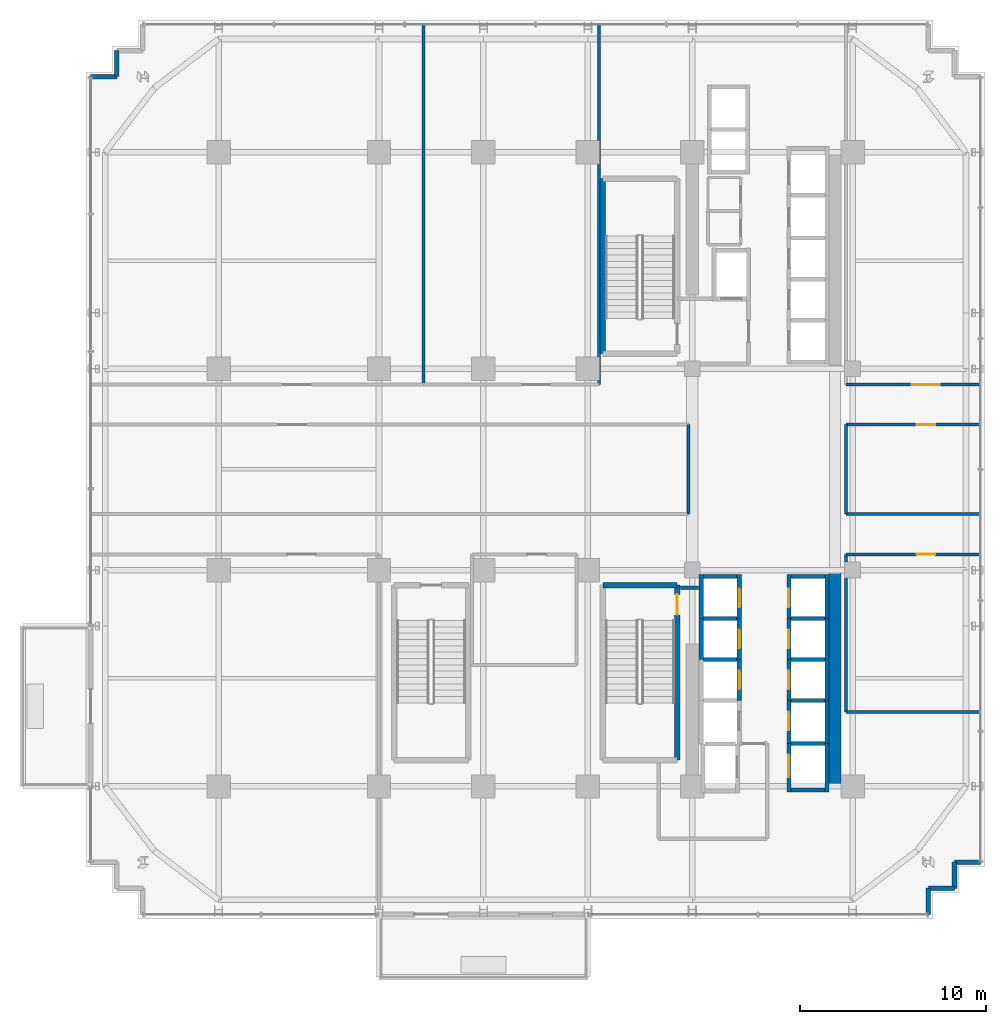
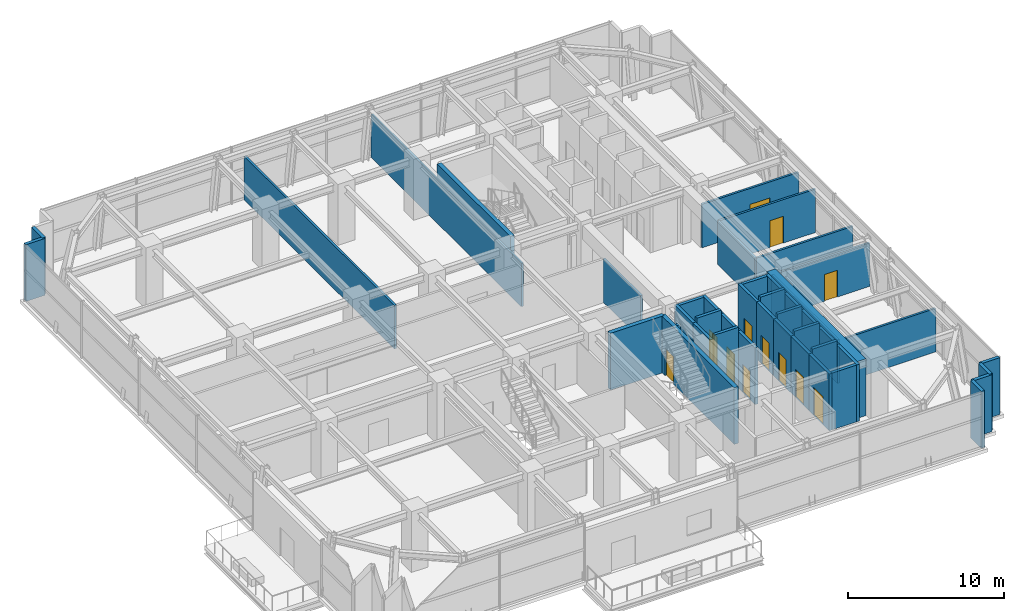
# One storey, part 21 of 26: 45 walls, 12 doors, 12 openings.
"""IFC4 building model written with IfcOpenShell, lengths in metres."""

from ifc_helpers import new_model, si_unit, direction, frame, frame_2d, origin, place, context, subcontext, project, spatial, rectangle, extrude, source, transform, mapped, material, layer, layer_set, type_object, element, fill, save


model = new_model("IFC4")

# Units and contexts
model_context = context("Model", 3, precision=1e-05, world=origin(), true_north=direction((0.0, 1.0)))
body_context = subcontext(model_context, "Body", "Model", "MODEL_VIEW")
ifc_project = project(units=[si_unit("LENGTHUNIT", "METRE"), si_unit("AREAUNIT", "SQUARE_METRE"), si_unit("VOLUMEUNIT", "CUBIC_METRE"), si_unit("PLANEANGLEUNIT", "RADIAN"), si_unit("MASSUNIT", "GRAM", prefix="KILO")], contexts=[model_context])

# Site, building, storey
site_placement = place(None, origin())
site = spatial("IfcSite", under=ifc_project, at=site_placement, CompositionType="ELEMENT")
building_placement = place(site_placement, origin())
building = spatial("IfcBuilding", under=site, at=building_placement, Name="Nahalor Promenade Grand Hotel", CompositionType="ELEMENT")
storey_placement = place(building_placement, frame((0.0, 0.0, 139.39990234375)))
storey = spatial("IfcBuildingStorey", under=building, at=storey_placement, Name="L35", CompositionType="ELEMENT", Elevation=139.39990234375)

# Walls
ifc_material_1 = material(Name="Concrete B-60 (C50/60)", Category="concrete")
ifc_layer_1 = layer(ifc_material_1, 0.64990234375)
ifc_layer_set_1 = layer_set([ifc_layer_1], Name="Concrete B-60 (C50/60)")
wall_type_1 = type_object("IfcWallType", Name="Wall-CoreShear-650", PredefinedType="SHEAR", material=ifc_layer_set_1)
shared_shape_1 = source(origin(), body_context, "Body", "SweptSolid", [
    extrude(rectangle(XDim=11.60009765625, YDim=0.64990234375, at=frame_2d((5.800048828125, 0.0))), origin(), (0.0, 0.0, 1.0), 4.440185546875),
])
wall_1_placement = place(storey_placement, frame((16.050048828125, -17.0, 0.0), z_axis=(0.0, 0.0, 1.0), x_axis=(0.0, 1.0, 0.0)))
element("IfcWall", 1, at=wall_1_placement, inside=storey, type_object=wall_type_1, Name="CWALL-L35-SE", PredefinedType="SHEAR", context=body_context, shape_type="MappedRepresentation", body=[
    mapped(shared_shape_1, transform((0.0, 0.0, 0.0), scale=1.0)),
])
ifc_material_2 = material(Name="Concrete B-50 (C40/50)", Category="concrete")
ifc_layer_2 = layer(ifc_material_2, 0.300048828125)
ifc_layer_set_2 = layer_set([ifc_layer_2], Name="Concrete B-50 (C40/50)")
wall_type_2 = type_object("IfcWallType", Name="Wall-ShaftShear-300", PredefinedType="SHEAR", material=ifc_layer_set_2)
shared_shape_2 = source(origin(), body_context, "Body", "SweptSolid", [
    extrude(rectangle(XDim=3.97998046875, YDim=0.300048828125, at=frame_2d((1.989990234375, 0.0))), origin(), (0.0, 0.0, 1.0), 4.440185546875),
])
wall_2_placement = place(storey_placement, frame((3.610107421875, -6.2099609375, 0.0), z_axis=(0.0, 0.0, 1.0), x_axis=(1.0, 0.0, 0.0)))
element("IfcWall", 2, at=wall_2_placement, inside=storey, type_object=wall_type_2, Name="L35 Exit Stair ST2 Shaft Wall N", PredefinedType="SHEAR", context=body_context, shape_type="MappedRepresentation", body=[
    mapped(shared_shape_2, transform((0.0, 0.0, 0.0), scale=1.0)),
])
shared_shape_3 = source(origin(), body_context, "Body", "SweptSolid", [
    extrude(rectangle(XDim=9.380126953125, YDim=0.300048828125, at=frame_2d((4.68994140625, 0.0))), origin(), (0.0, 0.0, 1.0), 4.440185546875),
])
wall_3_placement = place(storey_placement, frame((3.610107421875, 6.2099609375, 0.0), z_axis=(0.0, 0.0, 1.0), x_axis=(0.0, 1.0, 0.0)))
element("IfcWall", 3, at=wall_3_placement, inside=storey, type_object=wall_type_2, Name="L35 Exit Stair ST1 Shaft Wall W", PredefinedType="SHEAR", context=body_context, shape_type="MappedRepresentation", body=[
    mapped(shared_shape_3, transform((0.0, 0.0, 0.0), scale=1.0)),
])

# Wall, opening, door
wall_4_placement = place(storey_placement, frame((7.590087890625, -15.590087890625, 0.0), z_axis=(0.0, 0.0, 1.0), x_axis=(0.0, 1.0, 0.0)))
wall_4 = element("IfcWall", 4, at=wall_4_placement, inside=storey, type_object=wall_type_2, Name="L35 Exit Stair ST2 Shaft Wall E", PredefinedType="SHEAR", context=body_context, shape_type="MappedRepresentation", body=[
    mapped(shared_shape_3, transform((0.0, 0.0, 0.0), scale=1.0)),
])
opening_1_placement = place(wall_4_placement, frame((7.7900390625, 0.0, 0.0)))
opening_1 = element("IfcOpeningElement", 5, at=opening_1_placement, cuts=wall_4, Name="Opening D-ST1", PredefinedType="OPENING", context=body_context, shape_type="SweptSolid", body=[
    extrude(rectangle(XDim=1.10009765625, YDim=2.14990234375, at=frame_2d((0.550048828125, 1.074951171875))), frame((0.0, 0.159912109375, 0.0), z_axis=(0.0, -1.0, 0.0), x_axis=(1.0, 0.0, 0.0)), (0.0, 0.0, 1.0), 0.320068359375),
])
ifc_material_3 = material(Name="Steel S355JR", Category="steel")
door_type_1 = type_object("IfcDoorType", Name="Door-StairFire-1100", OperationType="NOTDEFINED", PredefinedType="DOOR", material=ifc_material_3)
shared_shape_4 = source(origin(), body_context, "Body", "SweptSolid", [
    extrude(rectangle(XDim=1.10009765625, YDim=2.14990234375, at=frame_2d((0.550048828125, 1.074951171875))), frame((0.0, 0.02490234375, 0.0), z_axis=(0.0, -1.0, 0.0), x_axis=(1.0, 0.0, 0.0)), (0.0, 0.0, 1.0), 0.050048828125),
])
door_1_placement = place(opening_1_placement, origin())
door_1 = element("IfcDoor", 6, at=door_1_placement, inside=storey, type_object=door_type_1, Name="DR-STAIR-ST2-L35", OperationType="SINGLE_SWING_RIGHT", OverallHeight=2.14990234375, OverallWidth=1.10009765625, PredefinedType="DOOR", context=body_context, shape_type="MappedRepresentation", body=[
    mapped(shared_shape_4, transform((0.0, 0.0, 0.0), scale=1.0)),
])
fill(opening_1, door_1)

# Walls
ifc_layer_3 = layer(ifc_material_2, 0.219970703125)
ifc_layer_set_3 = layer_set([ifc_layer_3], Name="Concrete B-50 (C40/50)")
wall_type_3 = type_object("IfcWallType", Name="Wall-LiftShaft-220", PredefinedType="SHEAR", material=ifc_layer_set_3)
shared_shape_5 = source(origin(), body_context, "Body", "SweptSolid", [
    extrude(rectangle(XDim=1.820068359375, YDim=0.219970703125, at=frame_2d((0.91015625, 0.0))), origin(), (0.0, 0.0, 1.0), 4.800048828125),
])
for number, where, z_axis, x_axis, name in (
    (7, (13.68994140625, -8.0, 0.0), (0.0, 0.0, 1.0), (1.0, 0.0, 0.0), "L35 Lift PL6 Hoistway Wall N"),
    (8, (13.68994140625, -10.199951171875, 0.0), (0.0, 0.0, 1.0), (1.0, 0.0, 0.0), "L35 Lift PL7 Hoistway Wall N"),
    (9, (13.68994140625, -12.39990234375, 0.0), (0.0, 0.0, 1.0), (1.0, 0.0, 0.0), "L35 Lift PL8 Hoistway Wall N"),
    (10, (8.989990234375, -8.0, 0.0), (0.0, 0.0, 1.0), (1.0, 0.0, 0.0), "L35 Lift PL10 Hoistway Wall N"),
    (11, (8.989990234375, -10.199951171875, 0.0), (0.0, 0.0, 1.0), (1.0, 0.0, 0.0), "L35 Lift PL11 Hoistway Wall N"),
    (12, (13.68994140625, -14.699951171875, 0.0), (0.0, 0.0, 1.0), (1.0, 0.0, 0.0), "L35 Lift SV2 Hoistway Wall N"),
):
    element("IfcWall", number, at=place(storey_placement, frame(where, z_axis=z_axis, x_axis=x_axis)), inside=storey, type_object=wall_type_3, Name=name, PredefinedType="SHEAR", context=body_context, shape_type="MappedRepresentation", body=[
        mapped(shared_shape_5, transform((0.0, 0.0, 0.0), scale=1.0)),
    ])

# Wall, opening, door
shared_shape_6 = source(origin(), body_context, "Body", "SweptSolid", [
    extrude(rectangle(XDim=2.360107421875, YDim=0.219970703125, at=frame_2d((1.18017578125, 0.0))), origin(), (0.0, 0.0, 1.0), 4.440185546875),
])
wall_5_placement = place(storey_placement, frame((13.580078125, -8.0, 0.0), z_axis=(0.0, 0.0, 1.0), x_axis=(0.0, 1.0, 0.0)))
wall_5 = element("IfcWall", 13, at=wall_5_placement, inside=storey, type_object=wall_type_3, Name="L35 Lift PL5 Hoistway Wall W", PredefinedType="SHEAR", context=body_context, shape_type="MappedRepresentation", body=[
    mapped(shared_shape_6, transform((0.0, 0.0, 0.0), scale=1.0)),
])
opening_2_placement = place(wall_5_placement, frame((0.60009765625, 0.0, 0.0)))
opening_2 = element("IfcOpeningElement", 14, at=opening_2_placement, cuts=wall_5, Name="Opening LD-01", PredefinedType="OPENING", context=body_context, shape_type="SweptSolid", body=[
    extrude(rectangle(XDim=1.0, YDim=2.199951171875, at=frame_2d((0.5, 1.10009765625))), frame((0.0, 0.119873046875, 0.0), z_axis=(0.0, -1.0, 0.0), x_axis=(1.0, 0.0, 0.0)), (0.0, 0.0, 1.0), 0.239990234375),
])
door_type_2 = type_object("IfcDoorType", Name="Door-LiftLanding-1000", OperationType="DOUBLE_DOOR_SLIDING", PredefinedType="DOOR", material=ifc_material_3)
shared_shape_7 = source(origin(), body_context, "Body", "SweptSolid", [
    extrude(rectangle(XDim=1.0, YDim=2.199951171875, at=frame_2d((0.5, 1.10009765625))), frame((0.0, 0.02490234375, 0.0), z_axis=(0.0, -1.0, 0.0), x_axis=(1.0, 0.0, 0.0)), (0.0, 0.0, 1.0), 0.050048828125),
])
door_2_placement = place(opening_2_placement, origin())
door_2 = element("IfcDoor", 15, at=door_2_placement, inside=storey, type_object=door_type_2, Name="DR-LIFT-PL5-L35", OperationType="DOUBLE_DOOR_SLIDING", OverallHeight=2.199951171875, OverallWidth=1.0, PredefinedType="DOOR", context=body_context, shape_type="MappedRepresentation", body=[
    mapped(shared_shape_7, transform((0.0, 0.0, 0.0), scale=1.0)),
])
fill(opening_2, door_2)

# Walls
for number, where, z_axis, x_axis, name in (
    (16, (15.6201171875, -8.0, 0.0), (0.0, 0.0, 1.0), (0.0, 1.0, 0.0), "L35 Lift PL5 Hoistway Wall E"),
    (17, (8.8798828125, -8.0, 0.0), (0.0, 0.0, 1.0), (0.0, 1.0, 0.0), "L35 Lift PL9 Hoistway Wall W"),
):
    element("IfcWall", number, at=place(storey_placement, frame(where, z_axis=z_axis, x_axis=x_axis)), inside=storey, type_object=wall_type_3, Name=name, PredefinedType="SHEAR", context=body_context, shape_type="MappedRepresentation", body=[
        mapped(shared_shape_6, transform((0.0, 0.0, 0.0), scale=1.0)),
    ])

# Wall, opening, door
wall_6_placement = place(storey_placement, frame((10.919921875, -8.0, 0.0), z_axis=(0.0, 0.0, 1.0), x_axis=(0.0, 1.0, 0.0)))
wall_6 = element("IfcWall", 18, at=wall_6_placement, inside=storey, type_object=wall_type_3, Name="L35 Lift PL9 Hoistway Wall E", PredefinedType="SHEAR", context=body_context, shape_type="MappedRepresentation", body=[
    mapped(shared_shape_6, transform((0.0, 0.0, 0.0), scale=1.0)),
])
opening_3_placement = place(wall_6_placement, frame((0.60009765625, 0.0, 0.0)))
opening_3 = element("IfcOpeningElement", 19, at=opening_3_placement, cuts=wall_6, Name="Opening LD-01", PredefinedType="OPENING", context=body_context, shape_type="SweptSolid", body=[
    extrude(rectangle(XDim=1.0, YDim=2.199951171875, at=frame_2d((0.5, 1.10009765625))), frame((0.0, 0.119873046875, 0.0), z_axis=(0.0, -1.0, 0.0), x_axis=(1.0, 0.0, 0.0)), (0.0, 0.0, 1.0), 0.239990234375),
])
door_3_placement = place(opening_3_placement, frame((1.0, 0.0, 0.0), z_axis=(0.0, 0.0, 1.0), x_axis=(-1.0, 0.0, 0.0)))
door_3 = element("IfcDoor", 20, at=door_3_placement, inside=storey, type_object=door_type_2, Name="DR-LIFT-PL9-L35", OperationType="DOUBLE_DOOR_SLIDING", OverallHeight=2.199951171875, OverallWidth=1.0, PredefinedType="DOOR", context=body_context, shape_type="MappedRepresentation", body=[
    mapped(shared_shape_7, transform((0.0, 0.0, 0.0), scale=1.0)),
])
fill(opening_3, door_3)

# Walls
shared_shape_8 = source(origin(), body_context, "Body", "SweptSolid", [
    extrude(rectangle(XDim=1.820068359375, YDim=0.219970703125, at=frame_2d((0.91015625, 0.0))), origin(), (0.0, 0.0, 1.0), 4.440185546875),
])
for number, where, z_axis, x_axis, name in (
    (21, (13.68994140625, -5.75, 0.0), (0.0, 0.0, 1.0), (1.0, 0.0, 0.0), "L35 Lift PL5 Hoistway Wall N"),
    (22, (8.989990234375, -5.75, 0.0), (0.0, 0.0, 1.0), (1.0, 0.0, 0.0), "L35 Lift PL9 Hoistway Wall N"),
    (23, (13.68994140625, -17.199951171875, 0.0), (0.0, 0.0, 1.0), (1.0, 0.0, 0.0), "L35 Lift SV2 Hoistway Wall S"),
):
    element("IfcWall", number, at=place(storey_placement, frame(where, z_axis=z_axis, x_axis=x_axis)), inside=storey, type_object=wall_type_3, Name=name, PredefinedType="SHEAR", context=body_context, shape_type="MappedRepresentation", body=[
        mapped(shared_shape_8, transform((0.0, 0.0, 0.0), scale=1.0)),
    ])

# Wall, opening, door
shared_shape_9 = source(origin(), body_context, "Body", "SweptSolid", [
    extrude(rectangle(XDim=2.199951171875, YDim=0.219970703125, at=frame_2d((1.10009765625, 0.0))), origin(), (0.0, 0.0, 1.0), 4.440185546875),
])
wall_7_placement = place(storey_placement, frame((13.580078125, -10.199951171875, 0.0), z_axis=(0.0, 0.0, 1.0), x_axis=(0.0, 1.0, 0.0)))
wall_7 = element("IfcWall", 24, at=wall_7_placement, inside=storey, type_object=wall_type_3, Name="L35 Lift PL6 Hoistway Wall W", PredefinedType="SHEAR", context=body_context, shape_type="MappedRepresentation", body=[
    mapped(shared_shape_9, transform((0.0, 0.0, 0.0), scale=1.0)),
])
opening_4_placement = place(wall_7_placement, frame((0.60009765625, 0.0, 0.0)))
opening_4 = element("IfcOpeningElement", 25, at=opening_4_placement, cuts=wall_7, Name="Opening LD-01", PredefinedType="OPENING", context=body_context, shape_type="SweptSolid", body=[
    extrude(rectangle(XDim=1.0, YDim=2.199951171875, at=frame_2d((0.5, 1.10009765625))), frame((0.0, 0.119873046875, 0.0), z_axis=(0.0, -1.0, 0.0), x_axis=(1.0, 0.0, 0.0)), (0.0, 0.0, 1.0), 0.239990234375),
])
door_4_placement = place(opening_4_placement, origin())
door_4 = element("IfcDoor", 26, at=door_4_placement, inside=storey, type_object=door_type_2, Name="DR-LIFT-PL6-L35", OperationType="DOUBLE_DOOR_SLIDING", OverallHeight=2.199951171875, OverallWidth=1.0, PredefinedType="DOOR", context=body_context, shape_type="MappedRepresentation", body=[
    mapped(shared_shape_7, transform((0.0, 0.0, 0.0), scale=1.0)),
])
fill(opening_4, door_4)

# Wall
wall_8_placement = place(storey_placement, frame((15.6201171875, -10.199951171875, 0.0), z_axis=(0.0, 0.0, 1.0), x_axis=(0.0, 1.0, 0.0)))
element("IfcWall", 27, at=wall_8_placement, inside=storey, type_object=wall_type_3, Name="L35 Lift PL6 Hoistway Wall E", PredefinedType="SHEAR", context=body_context, shape_type="MappedRepresentation", body=[
    mapped(shared_shape_9, transform((0.0, 0.0, 0.0), scale=1.0)),
])

# Wall, opening, door
wall_9_placement = place(storey_placement, frame((13.580078125, -12.39990234375, 0.0), z_axis=(0.0, 0.0, 1.0), x_axis=(0.0, 1.0, 0.0)))
wall_9 = element("IfcWall", 28, at=wall_9_placement, inside=storey, type_object=wall_type_3, Name="L35 Lift PL7 Hoistway Wall W", PredefinedType="SHEAR", context=body_context, shape_type="MappedRepresentation", body=[
    mapped(shared_shape_9, transform((0.0, 0.0, 0.0), scale=1.0)),
])
opening_5_placement = place(wall_9_placement, frame((0.60009765625, 0.0, 0.0)))
opening_5 = element("IfcOpeningElement", 29, at=opening_5_placement, cuts=wall_9, Name="Opening LD-01", PredefinedType="OPENING", context=body_context, shape_type="SweptSolid", body=[
    extrude(rectangle(XDim=1.0, YDim=2.199951171875, at=frame_2d((0.5, 1.10009765625))), frame((0.0, 0.119873046875, 0.0), z_axis=(0.0, -1.0, 0.0), x_axis=(1.0, 0.0, 0.0)), (0.0, 0.0, 1.0), 0.239990234375),
])
door_5_placement = place(opening_5_placement, origin())
door_5 = element("IfcDoor", 30, at=door_5_placement, inside=storey, type_object=door_type_2, Name="DR-LIFT-PL7-L35", OperationType="DOUBLE_DOOR_SLIDING", OverallHeight=2.199951171875, OverallWidth=1.0, PredefinedType="DOOR", context=body_context, shape_type="MappedRepresentation", body=[
    mapped(shared_shape_7, transform((0.0, 0.0, 0.0), scale=1.0)),
])
fill(opening_5, door_5)

# Walls
for number, where, z_axis, x_axis, name in (
    (31, (15.6201171875, -12.39990234375, 0.0), (0.0, 0.0, 1.0), (0.0, 1.0, 0.0), "L35 Lift PL7 Hoistway Wall E"),
    (32, (8.8798828125, -10.199951171875, 0.0), (0.0, 0.0, 1.0), (0.0, 1.0, 0.0), "L35 Lift PL10 Hoistway Wall W"),
):
    element("IfcWall", number, at=place(storey_placement, frame(where, z_axis=z_axis, x_axis=x_axis)), inside=storey, type_object=wall_type_3, Name=name, PredefinedType="SHEAR", context=body_context, shape_type="MappedRepresentation", body=[
        mapped(shared_shape_9, transform((0.0, 0.0, 0.0), scale=1.0)),
    ])

# Wall, opening, door
wall_10_placement = place(storey_placement, frame((10.919921875, -10.199951171875, 0.0), z_axis=(0.0, 0.0, 1.0), x_axis=(0.0, 1.0, 0.0)))
wall_10 = element("IfcWall", 33, at=wall_10_placement, inside=storey, type_object=wall_type_3, Name="L35 Lift PL10 Hoistway Wall E", PredefinedType="SHEAR", context=body_context, shape_type="MappedRepresentation", body=[
    mapped(shared_shape_9, transform((0.0, 0.0, 0.0), scale=1.0)),
])
opening_6_placement = place(wall_10_placement, frame((0.60009765625, 0.0, 0.0)))
opening_6 = element("IfcOpeningElement", 34, at=opening_6_placement, cuts=wall_10, Name="Opening LD-01", PredefinedType="OPENING", context=body_context, shape_type="SweptSolid", body=[
    extrude(rectangle(XDim=1.0, YDim=2.199951171875, at=frame_2d((0.5, 1.10009765625))), frame((0.0, 0.119873046875, 0.0), z_axis=(0.0, -1.0, 0.0), x_axis=(1.0, 0.0, 0.0)), (0.0, 0.0, 1.0), 0.239990234375),
])
door_6_placement = place(opening_6_placement, frame((1.0, 0.0, 0.0), z_axis=(0.0, 0.0, 1.0), x_axis=(-1.0, 0.0, 0.0)))
door_6 = element("IfcDoor", 35, at=door_6_placement, inside=storey, type_object=door_type_2, Name="DR-LIFT-PL10-L35", OperationType="DOUBLE_DOOR_SLIDING", OverallHeight=2.199951171875, OverallWidth=1.0, PredefinedType="DOOR", context=body_context, shape_type="MappedRepresentation", body=[
    mapped(shared_shape_7, transform((0.0, 0.0, 0.0), scale=1.0)),
])
fill(opening_6, door_6)

wall_11_placement = place(storey_placement, frame((10.919921875, -12.39990234375, 0.0), z_axis=(0.0, 0.0, 1.0), x_axis=(0.0, 1.0, 0.0)))
wall_11 = element("IfcWall", 36, at=wall_11_placement, inside=storey, type_object=wall_type_3, Name="L35 Lift PL11 Hoistway Wall E", PredefinedType="SHEAR", context=body_context, shape_type="MappedRepresentation", body=[
    mapped(shared_shape_9, transform((0.0, 0.0, 0.0), scale=1.0)),
])
opening_7_placement = place(wall_11_placement, frame((0.60009765625, 0.0, 0.0)))
opening_7 = element("IfcOpeningElement", 37, at=opening_7_placement, cuts=wall_11, Name="Opening LD-01", PredefinedType="OPENING", context=body_context, shape_type="SweptSolid", body=[
    extrude(rectangle(XDim=1.0, YDim=2.199951171875, at=frame_2d((0.5, 1.10009765625))), frame((0.0, 0.119873046875, 0.0), z_axis=(0.0, -1.0, 0.0), x_axis=(1.0, 0.0, 0.0)), (0.0, 0.0, 1.0), 0.239990234375),
])
door_7_placement = place(opening_7_placement, frame((1.0, 0.0, 0.0), z_axis=(0.0, 0.0, 1.0), x_axis=(-1.0, 0.0, 0.0)))
door_7 = element("IfcDoor", 38, at=door_7_placement, inside=storey, type_object=door_type_2, Name="DR-LIFT-PL11-L35", OperationType="DOUBLE_DOOR_SLIDING", OverallHeight=2.199951171875, OverallWidth=1.0, PredefinedType="DOOR", context=body_context, shape_type="MappedRepresentation", body=[
    mapped(shared_shape_7, transform((0.0, 0.0, 0.0), scale=1.0)),
])
fill(opening_7, door_7)

shared_shape_10 = source(origin(), body_context, "Body", "SweptSolid", [
    extrude(rectangle(XDim=2.300048828125, YDim=0.219970703125, at=frame_2d((1.14990234375, 0.0))), origin(), (0.0, 0.0, 1.0), 4.440185546875),
])
wall_12_placement = place(storey_placement, frame((13.580078125, -14.699951171875, 0.0), z_axis=(0.0, 0.0, 1.0), x_axis=(0.0, 1.0, 0.0)))
wall_12 = element("IfcWall", 39, at=wall_12_placement, inside=storey, type_object=wall_type_3, Name="L35 Lift PL8 Hoistway Wall W", PredefinedType="SHEAR", context=body_context, shape_type="MappedRepresentation", body=[
    mapped(shared_shape_10, transform((0.0, 0.0, 0.0), scale=1.0)),
])
opening_8_placement = place(wall_12_placement, frame((0.699951171875, 0.0, 0.0)))
opening_8 = element("IfcOpeningElement", 40, at=opening_8_placement, cuts=wall_12, Name="Opening LD-01", PredefinedType="OPENING", context=body_context, shape_type="SweptSolid", body=[
    extrude(rectangle(XDim=1.0, YDim=2.199951171875, at=frame_2d((0.5, 1.10009765625))), frame((0.0, 0.119873046875, 0.0), z_axis=(0.0, -1.0, 0.0), x_axis=(1.0, 0.0, 0.0)), (0.0, 0.0, 1.0), 0.239990234375),
])
door_8_placement = place(opening_8_placement, origin())
door_8 = element("IfcDoor", 41, at=door_8_placement, inside=storey, type_object=door_type_2, Name="DR-LIFT-PL8-L35", OperationType="DOUBLE_DOOR_SLIDING", OverallHeight=2.199951171875, OverallWidth=1.0, PredefinedType="DOOR", context=body_context, shape_type="MappedRepresentation", body=[
    mapped(shared_shape_7, transform((0.0, 0.0, 0.0), scale=1.0)),
])
fill(opening_8, door_8)

# Wall
wall_13_placement = place(storey_placement, frame((15.6201171875, -14.699951171875, 0.0), z_axis=(0.0, 0.0, 1.0), x_axis=(0.0, 1.0, 0.0)))
element("IfcWall", 42, at=wall_13_placement, inside=storey, type_object=wall_type_3, Name="L35 Lift PL8 Hoistway Wall E", PredefinedType="SHEAR", context=body_context, shape_type="MappedRepresentation", body=[
    mapped(shared_shape_10, transform((0.0, 0.0, 0.0), scale=1.0)),
])

# Wall, opening, door
shared_shape_11 = source(origin(), body_context, "Body", "SweptSolid", [
    extrude(rectangle(XDim=2.610107421875, YDim=0.219970703125, at=frame_2d((1.30517578125, 0.0))), origin(), (0.0, 0.0, 1.0), 4.440185546875),
])
wall_14_placement = place(storey_placement, frame((13.580078125, -17.31005859375, 0.0), z_axis=(0.0, 0.0, 1.0), x_axis=(0.0, 1.0, 0.0)))
wall_14 = element("IfcWall", 43, at=wall_14_placement, inside=storey, type_object=wall_type_3, Name="L35 Lift SV2 Hoistway Wall W", PredefinedType="SHEAR", context=body_context, shape_type="MappedRepresentation", body=[
    mapped(shared_shape_11, transform((0.0, 0.0, 0.0), scale=1.0)),
])
opening_9_placement = place(wall_14_placement, frame((0.81005859375, 0.0, 0.0)))
opening_9 = element("IfcOpeningElement", 44, at=opening_9_placement, cuts=wall_14, Name="Opening LD-03", PredefinedType="OPENING", context=body_context, shape_type="SweptSolid", body=[
    extrude(rectangle(XDim=1.199951171875, YDim=2.199951171875, at=frame_2d((0.60009765625, 1.10009765625))), frame((0.0, 0.119873046875, 0.0), z_axis=(0.0, -1.0, 0.0), x_axis=(1.0, 0.0, 0.0)), (0.0, 0.0, 1.0), 0.239990234375),
])
door_type_3 = type_object("IfcDoorType", Name="Door-LiftService-1200", OperationType="DOUBLE_DOOR_SLIDING", PredefinedType="DOOR", material=ifc_material_3)
shared_shape_12 = source(origin(), body_context, "Body", "SweptSolid", [
    extrude(rectangle(XDim=1.199951171875, YDim=2.199951171875, at=frame_2d((0.60009765625, 1.10009765625))), frame((0.0, 0.02490234375, 0.0), z_axis=(0.0, -1.0, 0.0), x_axis=(1.0, 0.0, 0.0)), (0.0, 0.0, 1.0), 0.050048828125),
])
door_9_placement = place(opening_9_placement, origin())
door_9 = element("IfcDoor", 45, at=door_9_placement, inside=storey, type_object=door_type_3, Name="DR-LIFT-SV2-L35", OperationType="DOUBLE_DOOR_SLIDING", OverallHeight=2.199951171875, OverallWidth=1.199951171875, PredefinedType="DOOR", context=body_context, shape_type="MappedRepresentation", body=[
    mapped(shared_shape_12, transform((0.0, 0.0, 0.0), scale=1.0)),
])
fill(opening_9, door_9)

# Walls
wall_15_placement = place(storey_placement, frame((15.6201171875, -17.31005859375, 0.0), z_axis=(0.0, 0.0, 1.0), x_axis=(0.0, 1.0, 0.0)))
element("IfcWall", 46, at=wall_15_placement, inside=storey, type_object=wall_type_3, Name="L35 Lift SV2 Hoistway Wall E", PredefinedType="SHEAR", context=body_context, shape_type="MappedRepresentation", body=[
    mapped(shared_shape_11, transform((0.0, 0.0, 0.0), scale=1.0)),
])
ifc_material_4 = material(Name="Concrete B-40 (C32/40)", Category="concrete")
ifc_layer_4 = layer(ifc_material_4, 0.25)
ifc_layer_set_4 = layer_set([ifc_layer_4], Name="Concrete B-40 (C32/40)")
wall_type_4 = type_object("IfcWallType", Name="Wall-BronzePier-250", PredefinedType="STANDARD", material=ifc_layer_set_4)
shared_shape_13 = source(origin(), body_context, "Body", "SweptSolid", [
    extrude(rectangle(XDim=1.400146484375, YDim=0.25, at=frame_2d((0.7001953125, 0.0))), origin(), (0.0, 0.0, 1.0), 4.440185546875),
])
for number, where, z_axis, x_axis, name in (
    (47, (21.06005859375, -23.860107421875, 0.0), (0.0, 0.0, 1.0), (0.0, 1.0, 0.0), "W-L35-SR-01"),
    (48, (22.4599609375, -21.06005859375, 0.0), (0.0, 0.0, 1.0), (1.0, 0.0, 0.0), "W-L35-SR-04"),
    (49, (-23.860107421875, 21.06005859375, 0.0), (0.0, 0.0, 1.0), (1.0, 0.0, 0.0), "W-L35-SR-12"),
):
    element("IfcWall", number, at=place(storey_placement, frame(where, z_axis=z_axis, x_axis=x_axis)), inside=storey, type_object=wall_type_4, Name=name, PredefinedType="STANDARD", context=body_context, shape_type="MappedRepresentation", body=[
        mapped(shared_shape_13, transform((0.0, 0.0, 0.0), scale=1.0)),
    ])
shared_shape_14 = source(origin(), body_context, "Body", "SweptSolid", [
    extrude(rectangle(XDim=1.39990234375, YDim=0.25, at=frame_2d((0.699951171875, 0.0))), origin(), (0.0, 0.0, 1.0), 4.440185546875),
])
for number, where, z_axis, x_axis, name in (
    (50, (21.06005859375, -22.4599609375, 0.0), (0.0, 0.0, 1.0), (1.0, 0.0, 0.0), "W-L35-SR-02"),
    (51, (22.4599609375, -22.4599609375, 0.0), (0.0, 0.0, 1.0), (0.0, 1.0, 0.0), "W-L35-SR-03"),
    (52, (-22.4599609375, 21.06005859375, 0.0), (0.0, 0.0, 1.0), (0.0, 1.0, 0.0), "W-L35-SR-11"),
):
    element("IfcWall", number, at=place(storey_placement, frame(where, z_axis=z_axis, x_axis=x_axis)), inside=storey, type_object=wall_type_4, Name=name, PredefinedType="STANDARD", context=body_context, shape_type="MappedRepresentation", body=[
        mapped(shared_shape_14, transform((0.0, 0.0, 0.0), scale=1.0)),
    ])
ifc_layer_5 = layer(ifc_material_4, 0.199951171875)
ifc_layer_set_5 = layer_set([ifc_layer_5], Name="Concrete B-40 (C32/40)")
wall_type_5 = type_object("IfcWallType", Name="Wall-PartFire-200", PredefinedType="PARTITIONING", material=ifc_layer_set_5)
shared_shape_15 = source(origin(), body_context, "Body", "SweptSolid", [
    extrude(rectangle(XDim=0.969970703125, YDim=0.199951171875, at=frame_2d((0.48486328125, 0.0))), origin(), (0.0, 0.0, 1.0), 3.400146484375),
])
wall_16_placement = place(storey_placement, frame((7.77001953125, -6.35009765625, 0.0), z_axis=(0.0, 0.0, 1.0), x_axis=(1.0, 0.0, 0.0)))
element("IfcWall", 53, at=wall_16_placement, inside=storey, type_object=wall_type_5, Name="W-L35-FF2-N2", PredefinedType="PARTITIONING", context=body_context, shape_type="MappedRepresentation", body=[
    mapped(shared_shape_15, transform((0.0, 0.0, 0.0), scale=1.0)),
])
ifc_material_5 = material(Name="Acoustic Mineral Gypsum", Category="gypsum")
ifc_layer_6 = layer(ifc_material_5, 0.159912109375)
ifc_layer_set_6 = layer_set([ifc_layer_6], Name="Acoustic Mineral Gypsum")
wall_type_6 = type_object("IfcWallType", Name="Wall-PartCorridor-160", PredefinedType="PARTITIONING", material=ifc_layer_set_6)
shared_shape_16 = source(origin(), body_context, "Body", "SweptSolid", [
    extrude(rectangle(XDim=4.7998046875, YDim=0.159912109375, at=frame_2d((2.39990234375, 0.0))), origin(), (0.0, 0.0, 1.0), 3.400146484375),
])
for number, where, z_axis, x_axis, name in (
    (54, (8.199951171875, -2.39990234375, 0.0), (0.0, 0.0, 1.0), (0.0, 1.0, 0.0), "W-L35-SK01-E"),
    (55, (16.64990234375, -2.39990234375, 0.0), (0.0, 0.0, 1.0), (0.0, 1.0, 0.0), "W-L35-SK02-W"),
):
    element("IfcWall", number, at=place(storey_placement, frame(where, z_axis=z_axis, x_axis=x_axis)), inside=storey, type_object=wall_type_6, Name=name, PredefinedType="PARTITIONING", context=body_context, shape_type="MappedRepresentation", body=[
        mapped(shared_shape_16, transform((0.0, 0.0, 0.0), scale=1.0)),
    ])
shared_shape_17 = source(origin(), body_context, "Body", "SweptSolid", [
    extrude(rectangle(XDim=7.150146484375, YDim=0.159912109375, at=frame_2d((3.5751953125, 0.0))), origin(), (0.0, 0.0, 1.0), 3.400146484375),
])
wall_17_placement = place(storey_placement, frame((16.64990234375, -2.39990234375, 0.0), z_axis=(0.0, 0.0, 1.0), x_axis=(1.0, 0.0, 0.0)))
element("IfcWall", 56, at=wall_17_placement, inside=storey, type_object=wall_type_6, Name="W-L35-SK02-S", PredefinedType="PARTITIONING", context=body_context, shape_type="MappedRepresentation", body=[
    mapped(shared_shape_17, transform((0.0, 0.0, 0.0), scale=1.0)),
])

# Wall, opening, door
wall_18_placement = place(storey_placement, frame((16.64990234375, 2.39990234375, 0.0), z_axis=(0.0, 0.0, 1.0), x_axis=(1.0, 0.0, 0.0)))
wall_18 = element("IfcWall", 57, at=wall_18_placement, inside=storey, type_object=wall_type_6, Name="W-L35-SK02-N", PredefinedType="PARTITIONING", context=body_context, shape_type="MappedRepresentation", body=[
    mapped(shared_shape_17, transform((0.0, 0.0, 0.0), scale=1.0)),
])
opening_10_placement = place(wall_18_placement, frame((3.778076171875, 0.0, 0.0)))
opening_10 = element("IfcOpeningElement", 58, at=opening_10_placement, cuts=wall_18, Name="Opening D-04", PredefinedType="OPENING", context=body_context, shape_type="SweptSolid", body=[
    extrude(rectangle(XDim=1.0, YDim=2.10009765625, at=frame_2d((0.5, 1.050048828125))), frame((0.0, 0.08984375, 0.0), z_axis=(0.0, -1.0, 0.0), x_axis=(1.0, 0.0, 0.0)), (0.0, 0.0, 1.0), 0.179931640625),
])
door_type_4 = type_object("IfcDoorType", Name="Door-ServiceFire-1000", OperationType="NOTDEFINED", PredefinedType="DOOR", material=ifc_material_3)
shared_shape_18 = source(origin(), body_context, "Body", "SweptSolid", [
    extrude(rectangle(XDim=1.0, YDim=2.10009765625, at=frame_2d((0.5, 1.050048828125))), frame((0.0, 0.02490234375, 0.0), z_axis=(0.0, -1.0, 0.0), x_axis=(1.0, 0.0, 0.0)), (0.0, 0.0, 1.0), 0.050048828125),
])
door_10_placement = place(opening_10_placement, frame((1.0, 0.0, 0.0), z_axis=(0.0, 0.0, 1.0), x_axis=(-1.0, 0.0, 0.0)))
door_10 = element("IfcDoor", 59, at=door_10_placement, inside=storey, type_object=door_type_4, Name="DR-L35-SK02", OperationType="SINGLE_SWING_RIGHT", OverallHeight=2.10009765625, OverallWidth=1.0, PredefinedType="DOOR", context=body_context, shape_type="MappedRepresentation", body=[
    mapped(shared_shape_18, transform((0.0, 0.0, 0.0), scale=1.0)),
])
fill(opening_10, door_10)

wall_19_placement = place(storey_placement, frame((16.64990234375, 4.550048828125, 0.0), z_axis=(0.0, 0.0, 1.0), x_axis=(1.0, 0.0, 0.0)))
wall_19 = element("IfcWall", 60, at=wall_19_placement, inside=storey, type_object=wall_type_6, Name="W-L35-SK06-S", PredefinedType="PARTITIONING", context=body_context, shape_type="MappedRepresentation", body=[
    mapped(shared_shape_17, transform((0.0, 0.0, 0.0), scale=1.0)),
])
opening_11_placement = place(wall_19_placement, frame((3.528076171875, 0.0, 0.0)))
opening_11 = element("IfcOpeningElement", 61, at=opening_11_placement, cuts=wall_19, Name="Opening D-02", PredefinedType="OPENING", context=body_context, shape_type="SweptSolid", body=[
    extrude(rectangle(XDim=1.5, YDim=2.14990234375, at=frame_2d((0.75, 1.074951171875))), frame((0.0, 0.08984375, 0.0), z_axis=(0.0, -1.0, 0.0), x_axis=(1.0, 0.0, 0.0)), (0.0, 0.0, 1.0), 0.179931640625),
])
ifc_material_6 = material(Name="Fire-Rated Timber Composite", Category="wood")
door_type_5 = type_object("IfcDoorType", Name="Door-SuiteDouble-1500", OperationType="DOUBLE_DOOR_SINGLE_SWING", PredefinedType="DOOR", material=ifc_material_6)
shared_shape_19 = source(origin(), body_context, "Body", "SweptSolid", [
    extrude(rectangle(XDim=1.5, YDim=2.14990234375, at=frame_2d((0.75, 1.074951171875))), frame((0.0, 0.02490234375, 0.0), z_axis=(0.0, -1.0, 0.0), x_axis=(1.0, 0.0, 0.0)), (0.0, 0.0, 1.0), 0.050048828125),
])
door_11_placement = place(opening_11_placement, origin())
door_11 = element("IfcDoor", 62, at=door_11_placement, inside=storey, type_object=door_type_5, Name="DR-L35-SK06", OperationType="DOUBLE_DOOR_SINGLE_SWING", OverallHeight=2.14990234375, OverallWidth=1.5, PredefinedType="DOOR", context=body_context, shape_type="MappedRepresentation", body=[
    mapped(shared_shape_19, transform((0.0, 0.0, 0.0), scale=1.0)),
])
fill(opening_11, door_11)

# Wall
wall_20_placement = place(storey_placement, frame((16.64990234375, -13.0, 0.0), z_axis=(0.0, 0.0, 1.0), x_axis=(1.0, 0.0, 0.0)))
element("IfcWall", 63, at=wall_20_placement, inside=storey, type_object=wall_type_6, Name="W-L35-SK07-S", PredefinedType="PARTITIONING", context=body_context, shape_type="MappedRepresentation", body=[
    mapped(shared_shape_17, transform((0.0, 0.0, 0.0), scale=1.0)),
])

# Wall, opening, door
wall_21_placement = place(storey_placement, frame((16.64990234375, -4.550048828125, 0.0), z_axis=(0.0, 0.0, 1.0), x_axis=(1.0, 0.0, 0.0)))
wall_21 = element("IfcWall", 64, at=wall_21_placement, inside=storey, type_object=wall_type_6, Name="W-L35-SK07-N", PredefinedType="PARTITIONING", context=body_context, shape_type="MappedRepresentation", body=[
    mapped(shared_shape_17, transform((0.0, 0.0, 0.0), scale=1.0)),
])
opening_12_placement = place(wall_21_placement, frame((3.7880859375, 0.0, 0.0)))
opening_12 = element("IfcOpeningElement", 65, at=opening_12_placement, cuts=wall_21, Name="Opening D-05", PredefinedType="OPENING", context=body_context, shape_type="SweptSolid", body=[
    extrude(rectangle(XDim=0.97998046875, YDim=2.10009765625, at=frame_2d((0.489990234375, 1.050048828125))), frame((0.0, 0.08984375, 0.0), z_axis=(0.0, -1.0, 0.0), x_axis=(1.0, 0.0, 0.0)), (0.0, 0.0, 1.0), 0.179931640625),
])
door_type_6 = type_object("IfcDoorType", Name="Door-AccessibleWC-980", OperationType="NOTDEFINED", PredefinedType="DOOR", material=ifc_material_6)
shared_shape_20 = source(origin(), body_context, "Body", "SweptSolid", [
    extrude(rectangle(XDim=0.97998046875, YDim=2.10009765625, at=frame_2d((0.489990234375, 1.050048828125))), frame((0.0, 0.02490234375, 0.0), z_axis=(0.0, -1.0, 0.0), x_axis=(1.0, 0.0, 0.0)), (0.0, 0.0, 1.0), 0.050048828125),
])
door_12_placement = place(opening_12_placement, frame((0.97998046875, 0.0, 0.0), z_axis=(0.0, 0.0, 1.0), x_axis=(-1.0, 0.0, 0.0)))
door_12 = element("IfcDoor", 66, at=door_12_placement, inside=storey, type_object=door_type_6, Name="DR-L35-SK07", OperationType="SINGLE_SWING_LEFT", OverallHeight=2.10009765625, OverallWidth=0.97998046875, PredefinedType="DOOR", context=body_context, shape_type="MappedRepresentation", body=[
    mapped(shared_shape_20, transform((0.0, 0.0, 0.0), scale=1.0)),
])
fill(opening_12, door_12)

# Walls
shared_shape_21 = source(origin(), body_context, "Body", "SweptSolid", [
    extrude(rectangle(XDim=19.25, YDim=0.159912109375, at=frame_2d((9.625, 0.0))), origin(), (0.0, 0.0, 1.0), 3.400146484375),
])
for number, where, z_axis, x_axis, name in (
    (67, (-6.0, 4.550048828125, 0.0), (0.0, 0.0, 1.0), (0.0, 1.0, 0.0), "W-L35-SK03-E"),
    (68, (3.39990234375, 4.550048828125, 0.0), (0.0, 0.0, 1.0), (0.0, 1.0, 0.0), "W-L35-SK04-E"),
):
    element("IfcWall", number, at=place(storey_placement, frame(where, z_axis=z_axis, x_axis=x_axis)), inside=storey, type_object=wall_type_6, Name=name, PredefinedType="PARTITIONING", context=body_context, shape_type="MappedRepresentation", body=[
        mapped(shared_shape_21, transform((0.0, 0.0, 0.0), scale=1.0)),
    ])
shared_shape_22 = source(origin(), body_context, "Body", "SweptSolid", [
    extrude(rectangle(XDim=8.449951171875, YDim=0.159912109375, at=frame_2d((4.22509765625, 0.0))), origin(), (0.0, 0.0, 1.0), 3.400146484375),
])
wall_22_placement = place(storey_placement, frame((16.64990234375, -13.0, 0.0), z_axis=(0.0, 0.0, 1.0), x_axis=(0.0, 1.0, 0.0)))
element("IfcWall", 69, at=wall_22_placement, inside=storey, type_object=wall_type_6, Name="W-L35-SK07-W", PredefinedType="PARTITIONING", context=body_context, shape_type="MappedRepresentation", body=[
    mapped(shared_shape_22, transform((0.0, 0.0, 0.0), scale=1.0)),
])

save(model, "model.ifc")
